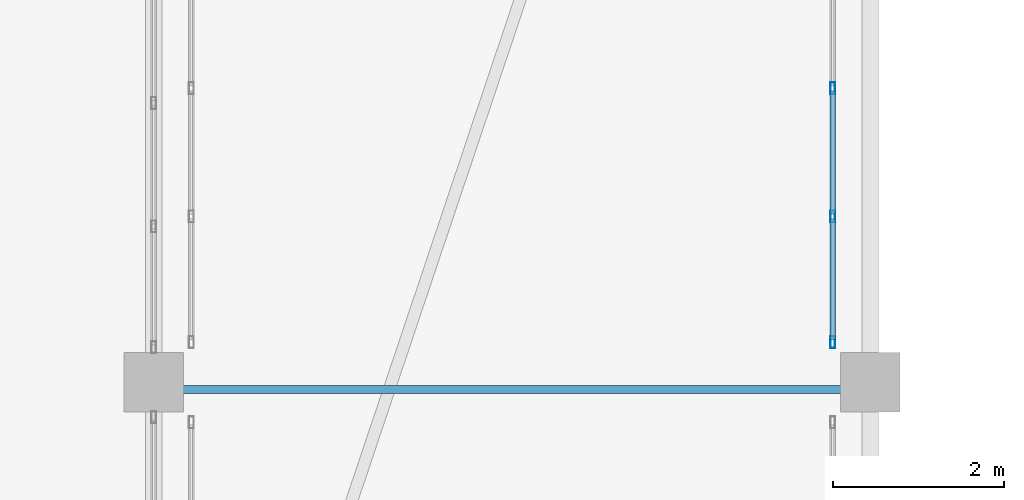
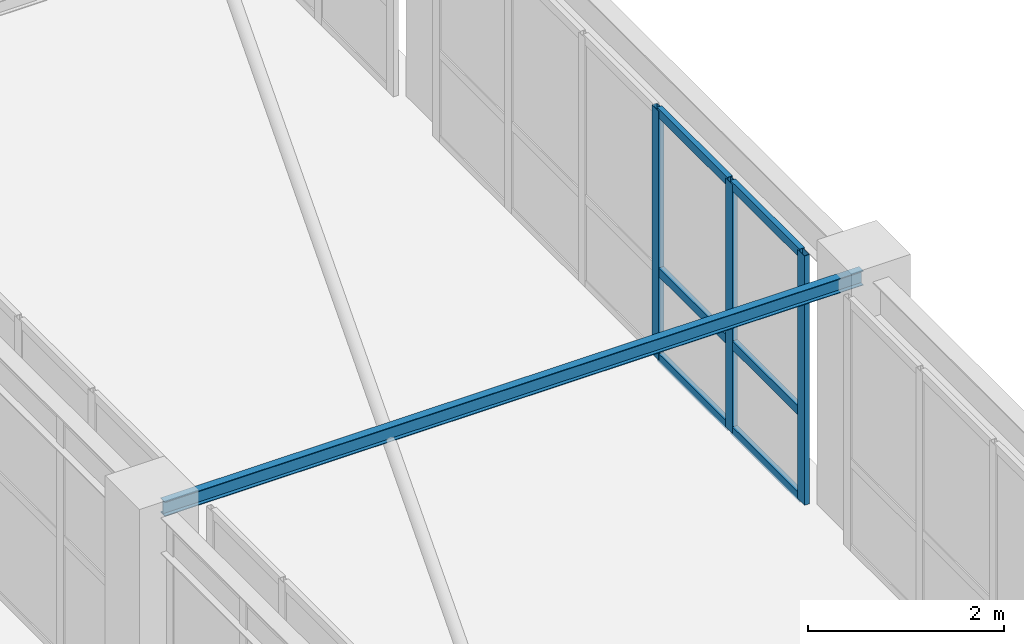
# One storey, part 64 of 148: 9 members, 1 beam, 1 element without a shape of its own.
"""IFC4 building model written with IfcOpenShell, lengths in metres."""

from ifc_helpers import new_model, si_unit, direction, frame, origin, origin_2d, place, context, subcontext, project, spatial, hollow_rectangle, i_section, extrude, material, layer, layer_set, material_profile, profile_set, type_object, element, aggregate, save


model = new_model("IFC4")

# Units and contexts
model_context = context("Model", 3, precision=1e-05, world=origin(), true_north=direction((0.0, 1.0)))
body_context = subcontext(model_context, "Body", "Model", "MODEL_VIEW")
ifc_project = project(units=[si_unit("LENGTHUNIT", "METRE"), si_unit("AREAUNIT", "SQUARE_METRE"), si_unit("VOLUMEUNIT", "CUBIC_METRE"), si_unit("PLANEANGLEUNIT", "RADIAN"), si_unit("MASSUNIT", "GRAM", prefix="KILO")], contexts=[model_context])

# Site, building, storey
site_placement = place(None, origin())
site = spatial("IfcSite", under=ifc_project, at=site_placement, CompositionType="ELEMENT")
building_placement = place(site_placement, origin())
building = spatial("IfcBuilding", under=site, at=building_placement, Name="Trelvath General Hospital", CompositionType="ELEMENT")
storey_placement = place(building_placement, frame((0.0, 0.0, 12.89990234375)))
storey = spatial("IfcBuildingStorey", under=building, at=storey_placement, Name="L03", CompositionType="ELEMENT", Elevation=12.89990234375)

# Beam
ifc_material_1 = material(Name="Steel S355", Category="steel")
ifc_material_profile_1 = material_profile(ifc_material_1, i_section(OverallWidth=0.091064453125, OverallDepth=0.179931640625, WebThickness=0.00537109375, FlangeThickness=0.008056640625, at=origin_2d()), Name="IPE180")
ifc_profile_set_1 = profile_set([ifc_material_profile_1], Name="Steel S355")
beam_type = type_object("IfcBeamType", Name="BridgeJoist IPE180", PredefinedType="JOIST", material=ifc_profile_set_1)
beam_placement = place(storey_placement, frame((75.679931640625, 75.51611328125, 3.02001953125), z_axis=(1.0, 0.0, 0.0), x_axis=(0.0, 1.0, 0.0)))
element("IfcBeam", 1, at=beam_placement, inside=storey, type_object=beam_type, Name="Bridge Cross Joist BRG-N-C L04", PredefinedType="JOIST", context=body_context, shape_type="SweptSolid", body=[
    extrude(i_section(OverallWidth=0.091064453125, OverallDepth=0.179931640625, WebThickness=0.00537109375, FlangeThickness=0.008056640625, at=origin_2d()), origin(), (0.0, 0.0, 1.0), 8.239990234375),
])

# Curtain wall, members
ifc_material_2 = material(Name="Anodised aluminium and low-E glass", Category="aluminium")
ifc_layer = layer(ifc_material_2, 0.139892578125)
ifc_layer_set = layer_set([ifc_layer], Name="Anodised aluminium and low-E glass")
curtain_wall_type = type_object("IfcCurtainWallType", Name="CW Bridge 752 311", PredefinedType="USERDEFINED", material=ifc_layer_set)
curtain_wall_placement = place(storey_placement, origin())
curtain_wall = element("IfcCurtainWall", 2, at=curtain_wall_placement, inside=storey, type_object=curtain_wall_type, Name="Glazed Bridge Curtain Wall BRG-N-C E L03", ObjectType="Unitised Glazed Curtain Wall", PredefinedType="USERDEFINED")
ifc_material_3 = material(Name="Anodised aluminium", Category="aluminium")
ifc_material_profile_2 = material_profile(ifc_material_3, hollow_rectangle(XDim=0.06005859375, YDim=0.139892578125, WallThickness=0.00390625, at=origin_2d()), Name="RHS60x140x4")
ifc_profile_set_2 = profile_set([ifc_material_profile_2], Name="Anodised aluminium")
member_type_1 = type_object("IfcMemberType", Name="CurtainMullion 60x140", PredefinedType="MULLION", material=ifc_profile_set_2)
member_1_placement = place(storey_placement, frame((83.56005859375, 79.048095703125, 0.0), z_axis=(0.0, 0.0, 1.0), x_axis=(1.0, 0.0, 0.0)))
member_1 = element("IfcMember", 3, at=member_1_placement, type_object=member_type_1, Name="CW-261 mullion 4", PredefinedType="MULLION", context=body_context, shape_type="SweptSolid", body=[
    extrude(hollow_rectangle(XDim=0.06005859375, YDim=0.139892578125, WallThickness=0.00390625, at=origin_2d()), origin(), (0.0, 0.0, 1.0), 3.110107421875),
])
member_2_placement = place(storey_placement, frame((83.56005859375, 77.5439453125, 0.0), z_axis=(0.0, 0.0, 1.0), x_axis=(1.0, 0.0, 0.0)))
member_2 = element("IfcMember", 4, at=member_2_placement, type_object=member_type_1, Name="CW-261 mullion 5", PredefinedType="MULLION", context=body_context, shape_type="SweptSolid", body=[
    extrude(hollow_rectangle(XDim=0.06005859375, YDim=0.139892578125, WallThickness=0.00390625, at=origin_2d()), origin(), (0.0, 0.0, 1.0), 3.110107421875),
])
member_3_placement = place(storey_placement, frame((83.56005859375, 76.070068359375, 0.0), z_axis=(0.0, 0.0, 1.0), x_axis=(1.0, 0.0, 0.0)))
member_3 = element("IfcMember", 5, at=member_3_placement, type_object=member_type_1, Name="CW-261 mullion 6", PredefinedType="MULLION", context=body_context, shape_type="SweptSolid", body=[
    extrude(hollow_rectangle(XDim=0.06005859375, YDim=0.139892578125, WallThickness=0.00390625, at=origin_2d()), origin(), (0.0, 0.0, 1.0), 3.110107421875),
])
ifc_material_4 = material(Name="Anodised aluminium", Category="aluminium")
ifc_material_profile_3 = material_profile(ifc_material_4, hollow_rectangle(XDim=0.06005859375, YDim=0.110107421875, WallThickness=0.00390625, at=origin_2d()), Name="RHS60x110x4")
ifc_profile_set_3 = profile_set([ifc_material_profile_3], Name="Anodised aluminium")
member_type_2 = type_object("IfcMemberType", Name="CurtainTransom 60x110", PredefinedType="USERDEFINED", material=ifc_profile_set_3)
member_4_placement = place(storey_placement, frame((83.56005859375, 79.01806640625, 0.030029296875), z_axis=(0.0, -1.0, 0.0), x_axis=(1.0, 0.0, 0.0)))
member_4 = element("IfcMember", 6, at=member_4_placement, type_object=member_type_2, Name="CW-261 transom 4.1", ObjectType="TRANSOM", PredefinedType="USERDEFINED", context=body_context, shape_type="SweptSolid", body=[
    extrude(hollow_rectangle(XDim=0.06005859375, YDim=0.110107421875, WallThickness=0.00390625, at=origin_2d()), origin(), (0.0, 0.0, 1.0), 1.444091796875),
])
member_5_placement = place(storey_placement, frame((83.56005859375, 79.01806640625, 1.10009765625), z_axis=(0.0, -1.0, 0.0), x_axis=(1.0, 0.0, 0.0)))
member_5 = element("IfcMember", 7, at=member_5_placement, type_object=member_type_2, Name="CW-261 transom 4.2", ObjectType="TRANSOM", PredefinedType="USERDEFINED", context=body_context, shape_type="SweptSolid", body=[
    extrude(hollow_rectangle(XDim=0.06005859375, YDim=0.110107421875, WallThickness=0.00390625, at=origin_2d()), origin(), (0.0, 0.0, 1.0), 1.444091796875),
])
member_6_placement = place(storey_placement, frame((83.56005859375, 79.01806640625, 3.080078125), z_axis=(0.0, -1.0, 0.0), x_axis=(1.0, 0.0, 0.0)))
member_6 = element("IfcMember", 8, at=member_6_placement, type_object=member_type_2, Name="CW-261 transom 4.3", ObjectType="TRANSOM", PredefinedType="USERDEFINED", context=body_context, shape_type="SweptSolid", body=[
    extrude(hollow_rectangle(XDim=0.06005859375, YDim=0.110107421875, WallThickness=0.00390625, at=origin_2d()), origin(), (0.0, 0.0, 1.0), 1.444091796875),
])
member_7_placement = place(storey_placement, frame((83.56005859375, 77.513916015625, 0.030029296875), z_axis=(0.0, -1.0, 0.0), x_axis=(1.0, 0.0, 0.0)))
member_7 = element("IfcMember", 9, at=member_7_placement, type_object=member_type_2, Name="CW-261 transom 5.1", ObjectType="TRANSOM", PredefinedType="USERDEFINED", context=body_context, shape_type="SweptSolid", body=[
    extrude(hollow_rectangle(XDim=0.06005859375, YDim=0.110107421875, WallThickness=0.00390625, at=origin_2d()), origin(), (0.0, 0.0, 1.0), 1.413818359375),
])
member_8_placement = place(storey_placement, frame((83.56005859375, 77.513916015625, 1.10009765625), z_axis=(0.0, -1.0, 0.0), x_axis=(1.0, 0.0, 0.0)))
member_8 = element("IfcMember", 10, at=member_8_placement, type_object=member_type_2, Name="CW-261 transom 5.2", ObjectType="TRANSOM", PredefinedType="USERDEFINED", context=body_context, shape_type="SweptSolid", body=[
    extrude(hollow_rectangle(XDim=0.06005859375, YDim=0.110107421875, WallThickness=0.00390625, at=origin_2d()), origin(), (0.0, 0.0, 1.0), 1.413818359375),
])
member_9_placement = place(storey_placement, frame((83.56005859375, 77.513916015625, 3.080078125), z_axis=(0.0, -1.0, 0.0), x_axis=(1.0, 0.0, 0.0)))
member_9 = element("IfcMember", 11, at=member_9_placement, type_object=member_type_2, Name="CW-261 transom 5.3", ObjectType="TRANSOM", PredefinedType="USERDEFINED", context=body_context, shape_type="SweptSolid", body=[
    extrude(hollow_rectangle(XDim=0.06005859375, YDim=0.110107421875, WallThickness=0.00390625, at=origin_2d()), origin(), (0.0, 0.0, 1.0), 1.413818359375),
])
aggregate(curtain_wall, [member_1, member_2, member_3, member_4, member_5, member_6, member_7, member_8, member_9])

save(model, "model.ifc")
